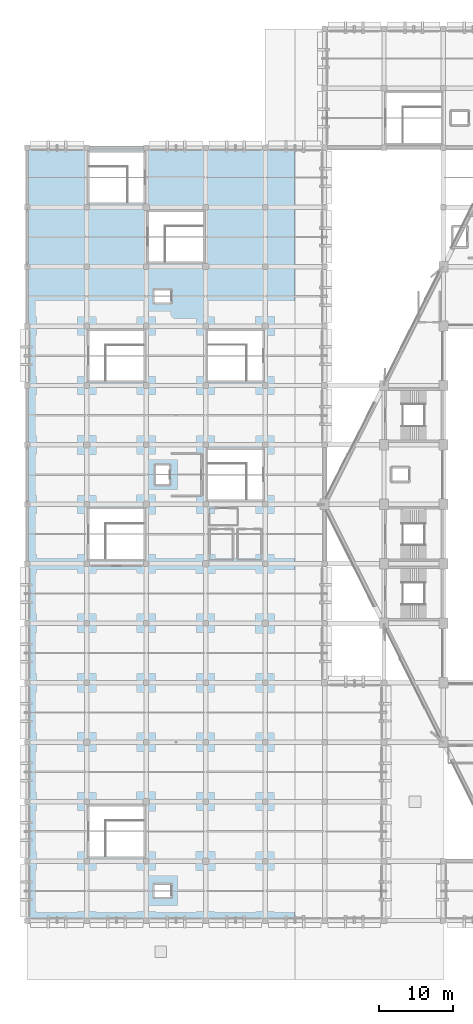
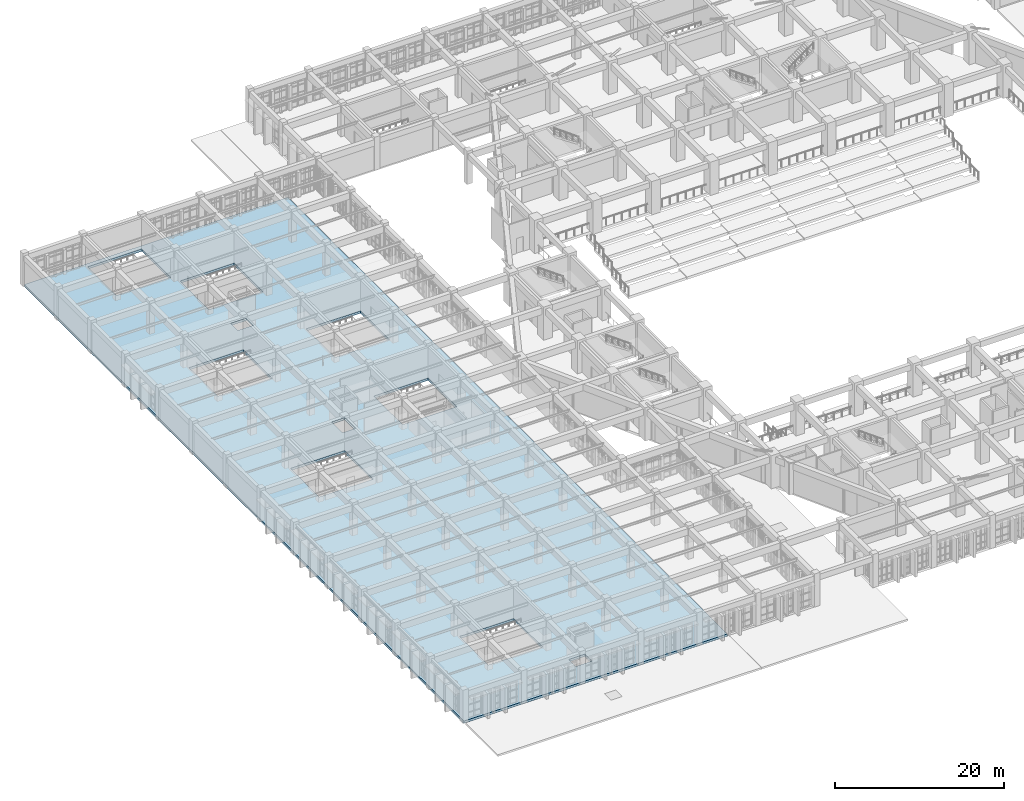
# One storey, part 91 of 155: 1 slab.
"""IFC4 building model written with IfcOpenShell, lengths in metres."""

from ifc_helpers import new_model, si_unit, direction, frame, origin, place, context, subcontext, project, spatial, polyline, outline, extrude, material, layer, layer_set, type_object, element, save


model = new_model("IFC4")

# Units and contexts
model_context = context("Model", 3, precision=1e-05, world=origin(), true_north=direction((0.0, 1.0)))
body_context = subcontext(model_context, "Body", "Model", "MODEL_VIEW")
ifc_project = project(units=[si_unit("LENGTHUNIT", "METRE"), si_unit("AREAUNIT", "SQUARE_METRE"), si_unit("VOLUMEUNIT", "CUBIC_METRE"), si_unit("PLANEANGLEUNIT", "RADIAN"), si_unit("MASSUNIT", "GRAM", prefix="KILO")], contexts=[model_context])

# Site, building, storey
site_placement = place(None, origin())
site = spatial("IfcSite", under=ifc_project, at=site_placement, CompositionType="ELEMENT")
building_placement = place(site_placement, origin())
building = spatial("IfcBuilding", under=site, at=building_placement, Name="Tazarka Park Arena", CompositionType="ELEMENT")
storey_placement = place(building_placement, frame((0.0, 0.0, 5.39990234375)))
storey = spatial("IfcBuildingStorey", under=building, at=storey_placement, Name="L01", CompositionType="ELEMENT", Elevation=5.39990234375)

# Slab
ifc_material = material(Name="Concrete C35/45", Category="concrete")
ifc_layer = layer(ifc_material, 0.340087890625, Name="Concrete C35/45")
ifc_layer_set = layer_set([ifc_layer], Name="Concrete C35/45")
slab_type = type_object("IfcSlabType", Name="SLB-SL-04", PredefinedType="FLOOR", material=ifc_layer_set)
slab_placement = place(storey_placement, frame((0.0, 0.0, -0.33984375)))
element("IfcSlab", 1, at=slab_placement, inside=storey, type_object=slab_type, Name="FLR-L01-W-01", PredefinedType="FLOOR", context=body_context, shape_type="SweptSolid", body=[
    extrude(outline(polyline([(0.0, 111.969970703125), (0.030029296875, 112.0), (35.978759765625, 111.978759765625), (35.958740234375, 8.001220703125), (0.001220703125, 8.021240234375), (0.0, 111.969970703125)]), holes=[polyline([(24.300048828125, 64.60009765625), (31.699951171875, 64.60009765625), (31.699951171875, 71.39990234375), (24.300048828125, 71.39990234375), (24.300048828125, 64.60009765625)]), polyline([(24.300048828125, 80.60009765625), (31.699951171875, 80.60009765625), (31.699951171875, 87.39990234375), (24.300048828125, 87.39990234375), (24.300048828125, 80.60009765625)]), polyline([(16.300048828125, 96.60009765625), (23.699951171875, 96.60009765625), (23.699951171875, 103.39990234375), (16.300048828125, 103.39990234375), (16.300048828125, 96.60009765625)]), polyline([(17.110107421875, 11.159912109375), (19.2900390625, 11.159912109375), (19.2900390625, 12.840087890625), (17.110107421875, 12.840087890625), (17.110107421875, 11.159912109375)]), polyline([(17.110107421875, 91.159912109375), (19.2900390625, 91.159912109375), (19.2900390625, 92.840087890625), (17.110107421875, 92.840087890625), (17.110107421875, 91.159912109375)]), polyline([(17.31005859375, 66.7099609375), (19.090087890625, 66.7099609375), (19.090087890625, 69.2900390625), (17.31005859375, 69.2900390625), (17.31005859375, 66.7099609375)]), polyline([(8.300048828125, 56.60009765625), (15.699951171875, 56.60009765625), (15.699951171875, 63.39990234375), (8.300048828125, 63.39990234375), (8.300048828125, 56.60009765625)]), polyline([(8.300048828125, 16.60009765625), (15.699951171875, 16.60009765625), (15.699951171875, 23.39990234375), (8.300048828125, 23.39990234375), (8.300048828125, 16.60009765625)]), polyline([(8.300048828125, 80.60009765625), (15.699951171875, 80.60009765625), (15.699951171875, 87.39990234375), (8.300048828125, 87.39990234375), (8.300048828125, 80.60009765625)]), polyline([(8.300048828125, 104.60009765625), (15.699951171875, 104.60009765625), (15.699951171875, 111.39990234375), (8.300048828125, 111.39990234375), (8.300048828125, 104.60009765625)])]), origin(), (0.0, 0.0, 1.0), 0.33984375),
])

save(model, "model.ifc")
